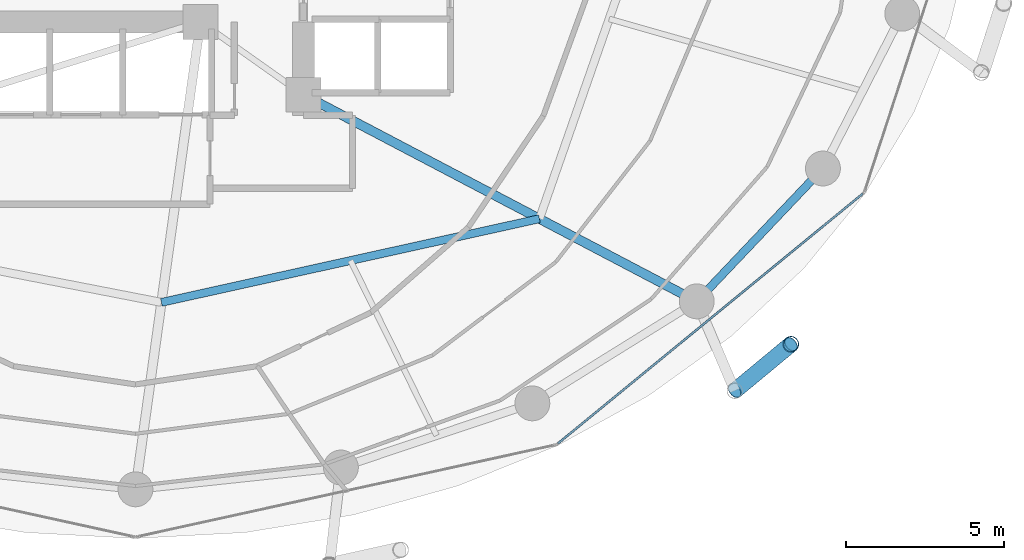
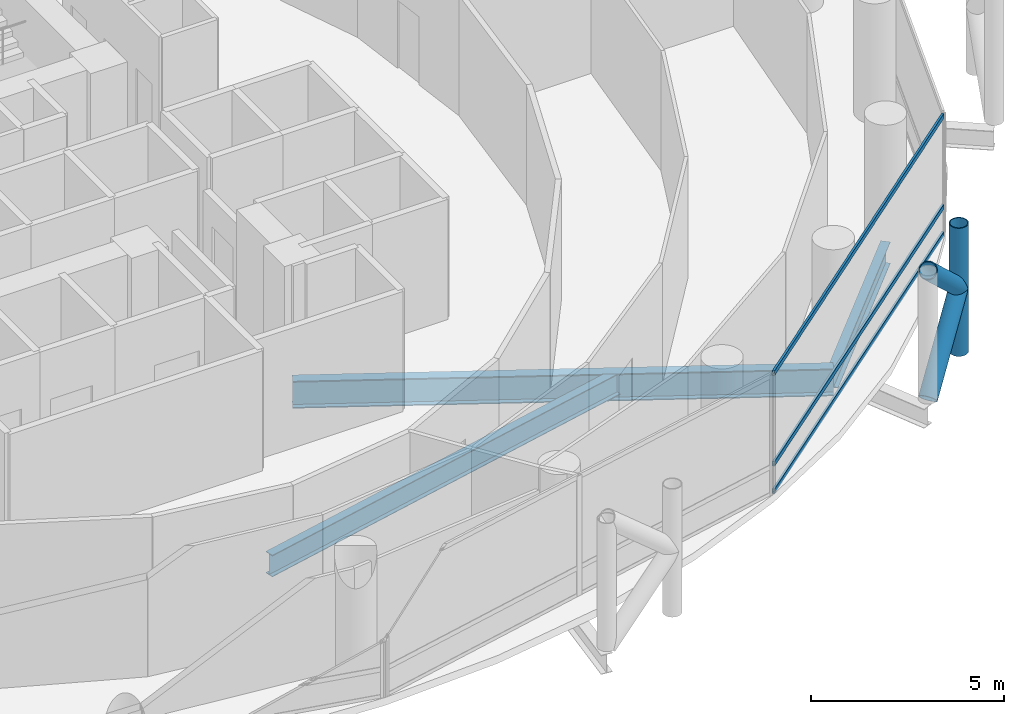
# One storey, part 9 of 26: 6 members, 3 beams, 1 element without a shape of its own.
"""IFC4 building model written with IfcOpenShell, lengths in metres."""

from ifc_helpers import new_model, si_unit, direction, frame, origin, origin_2d, place, context, subcontext, project, spatial, hollow_rectangle, hollow_circle, i_section, extrude, material, layer, layer_set, material_profile, profile_set, type_object, element, aggregate, save


model = new_model("IFC4")

# Units and contexts
model_context = context("Model", 3, precision=1e-05, world=origin(), true_north=direction((0.0, 1.0)))
body_context = subcontext(model_context, "Body", "Model", "MODEL_VIEW")
ifc_project = project(units=[si_unit("LENGTHUNIT", "METRE"), si_unit("AREAUNIT", "SQUARE_METRE"), si_unit("VOLUMEUNIT", "CUBIC_METRE"), si_unit("PLANEANGLEUNIT", "RADIAN"), si_unit("MASSUNIT", "GRAM", prefix="KILO")], contexts=[model_context])

# Site, building, storey
site_placement = place(None, origin())
site = spatial("IfcSite", under=ifc_project, at=site_placement, CompositionType="ELEMENT")
building_placement = place(site_placement, origin())
building = spatial("IfcBuilding", under=site, at=building_placement, Name="Nuhasar Tower", CompositionType="ELEMENT")
storey_placement = place(building_placement, frame((0.0, 0.0, 93.89990234375)))
storey = spatial("IfcBuildingStorey", under=building, at=storey_placement, Name="L22", CompositionType="ELEMENT", Elevation=93.89990234375)

# Beams
ifc_material_1 = material(Name="Steel S355", Category="steel")
ifc_material_profile_1 = material_profile(ifc_material_1, i_section(OverallWidth=0.25390625, OverallDepth=0.68408203125, WebThickness=0.012451171875, FlangeThickness=0.018798828125, at=origin_2d()), Name="W27X94")
ifc_profile_set_1 = profile_set([ifc_material_profile_1], Name="Steel S355")
beam_type_1 = type_object("IfcBeamType", Name="BM-INRING-W27X94", PredefinedType="BEAM", material=ifc_profile_set_1)
beam_1_placement = place(storey_placement, frame((39.820068359375, 12.449951171875, -0.591796875), z_axis=(0.976386023343, 0.216033176665, 0.0), x_axis=(-0.216033176665, 0.976386023343, 0.0)))
element("IfcBeam", 1, at=beam_1_placement, inside=storey, type_object=beam_type_1, Name="L22 Inner Header Beam 02", PredefinedType="BEAM", context=body_context, shape_type="SweptSolid", body=[
    extrude(i_section(OverallWidth=0.25390625, OverallDepth=0.68408203125, WebThickness=0.012451171875, FlangeThickness=0.018798828125, at=origin_2d()), origin(), (0.0, 0.0, 1.0), 12.216552734375),
])
ifc_material_profile_2 = material_profile(ifc_material_1, i_section(OverallWidth=0.2919921875, OverallDepth=0.85888671875, WebThickness=0.01708984375, FlangeThickness=0.031005859375, at=origin_2d()), Name="W33X169")
ifc_profile_set_2 = profile_set([ifc_material_profile_2], Name="Steel S355")
beam_type_2 = type_object("IfcBeamType", Name="BM-POD-W33X169", PredefinedType="BEAM", material=ifc_profile_set_2)
beam_2_placement = place(storey_placement, frame((44.300048828125, 19.0, -0.678955078125), z_axis=(0.885330348705, -0.464962550816, 0.0), x_axis=(0.464962550816, 0.885330348705, 0.0)))
element("IfcBeam", 2, at=beam_2_placement, inside=storey, type_object=beam_type_2, Name="L22 Radial Floor Girder 03", PredefinedType="BEAM", context=body_context, shape_type="SweptSolid", body=[
    extrude(i_section(OverallWidth=0.2919921875, OverallDepth=0.85888671875, WebThickness=0.01708984375, FlangeThickness=0.031005859375, at=origin_2d()), origin(), (0.0, 0.0, 1.0), 14.0205078125),
])
ifc_material_profile_3 = material_profile(ifc_material_1, i_section(OverallWidth=0.256103515625, OverallDepth=0.693115234375, WebThickness=0.014404296875, FlangeThickness=0.023681640625, at=origin_2d()), Name="W27X114")
ifc_profile_set_3 = profile_set([ifc_material_profile_3], Name="Steel S355")
beam_type_3 = type_object("IfcBeamType", Name="BM-RING-W27X114", PredefinedType="SPANDREL", material=ifc_profile_set_3)
beam_3_placement = place(storey_placement, frame((56.712890625, 12.48095703125, -0.596923828125), z_axis=(0.688459812429, 0.725274490569, 0.0), x_axis=(-0.725274490569, 0.688459812429, 0.0)))
element("IfcBeam", 3, at=beam_3_placement, inside=storey, type_object=beam_type_3, Name="L22 Perimeter Ring Spandrel 22", PredefinedType="SPANDREL", context=body_context, shape_type="SweptSolid", body=[
    extrude(i_section(OverallWidth=0.256103515625, OverallDepth=0.693115234375, WebThickness=0.014404296875, FlangeThickness=0.023681640625, at=origin_2d()), origin(), (0.0, 0.0, 1.0), 5.78271484375),
])

# Curtain wall, members
ifc_material_2 = material(Name="Aluminium 6063-T6", Category="aluminium")
ifc_layer = layer(ifc_material_2, 0.199951171875)
ifc_layer_set = layer_set([ifc_layer], Name="Aluminium 6063-T6")
curtain_wall_type = type_object("IfcCurtainWallType", Name="CW-Z1-OFF", PredefinedType="NOTDEFINED", material=ifc_layer_set)
curtain_wall_placement = place(storey_placement, origin())
curtain_wall = element("IfcCurtainWall", 4, at=curtain_wall_placement, inside=storey, type_object=curtain_wall_type, Name="L22 Unitised Curtain Wall 11", PredefinedType="NOTDEFINED")
ifc_material_profile_4 = material_profile(ifc_material_2, hollow_rectangle(XDim=0.06494140625, YDim=0.14990234375, WallThickness=0.00439453125, at=origin_2d()), Name="CWT-2")
ifc_profile_set_4 = profile_set([ifc_material_profile_4], Name="Aluminium 6063-T6")
member_type_1 = type_object("IfcMemberType", Name="CW-TRN-S2", PredefinedType="USERDEFINED", material=ifc_profile_set_4)
member_1_placement = place(storey_placement, frame((52.330322265625, 7.99609375, 0.03271484375), z_axis=(0.773531229158, 0.633758185365, 0.0), x_axis=(-0.633758185365, 0.773531229158, 0.0)))
member_1 = element("IfcMember", 5, at=member_1_placement, type_object=member_type_1, Name="CW-Z1 transom 1.1", ObjectType="TRANSOM", PredefinedType="USERDEFINED", context=body_context, shape_type="SweptSolid", body=[
    extrude(hollow_rectangle(XDim=0.06494140625, YDim=0.14990234375, WallThickness=0.00439453125, at=origin_2d()), origin(), (0.0, 0.0, 1.0), 12.438232421875),
])
member_2_placement = place(storey_placement, frame((52.330322265625, 7.99609375, 0.900146484375), z_axis=(0.773531229158, 0.633758185365, 0.0), x_axis=(-0.633758185365, 0.773531229158, 0.0)))
member_2 = element("IfcMember", 6, at=member_2_placement, type_object=member_type_1, Name="CW-Z1 transom 1.2", ObjectType="TRANSOM", PredefinedType="USERDEFINED", context=body_context, shape_type="SweptSolid", body=[
    extrude(hollow_rectangle(XDim=0.06494140625, YDim=0.14990234375, WallThickness=0.00439453125, at=origin_2d()), origin(), (0.0, 0.0, 1.0), 12.438232421875),
])
member_3_placement = place(storey_placement, frame((52.330322265625, 7.99609375, 3.767578125), z_axis=(0.773531229158, 0.633758185365, 0.0), x_axis=(-0.633758185365, 0.773531229158, 0.0)))
member_3 = element("IfcMember", 7, at=member_3_placement, type_object=member_type_1, Name="CW-Z1 transom 1.3", ObjectType="TRANSOM", PredefinedType="USERDEFINED", context=body_context, shape_type="SweptSolid", body=[
    extrude(hollow_rectangle(XDim=0.06494140625, YDim=0.14990234375, WallThickness=0.00439453125, at=origin_2d()), origin(), (0.0, 0.0, 1.0), 12.438232421875),
])
aggregate(curtain_wall, [member_1, member_2, member_3])

# Members
ifc_material_3 = material(Name="Steel S460", Category="steel")
ifc_material_profile_5 = material_profile(ifc_material_3, hollow_circle(Radius=0.25390625, WallThickness=0.025390625, at=origin_2d()), Name="HSS508X25.4")
ifc_profile_set_5 = profile_set([ifc_material_profile_5], Name="Steel S460")
member_type_2 = type_object("IfcMemberType", Name="EXO-BRONZE-508", PredefinedType="BRACE", material=ifc_profile_set_5)
member_4_placement = place(storey_placement, frame((59.68505859375, 11.12890625, 0.0), z_axis=(0.0, 0.0, 1.0), x_axis=(1.0, 0.0, 0.0)))
element("IfcMember", 8, at=member_4_placement, inside=storey, type_object=member_type_2, Name="L22 Exoskeleton Chord Column EC-11B", PredefinedType="BRACE", context=body_context, shape_type="SweptSolid", body=[
    extrude(hollow_circle(Radius=0.25390625, WallThickness=0.025390625, at=origin_2d()), origin(), (0.0, 0.0, 1.0), 4.050048828125),
])
member_5_placement = place(storey_placement, frame((57.9130859375, 9.660888671875, 0.0), z_axis=(0.578071194894, 0.478911834514, 0.660664172175), x_axis=(-0.637969333506, 0.770061769929, 0.0)))
element("IfcMember", 9, at=member_5_placement, inside=storey, type_object=member_type_2, Name="L22 Bronze Diagrid Brace W1-11", PredefinedType="BRACE", context=body_context, shape_type="SweptSolid", body=[
    extrude(hollow_circle(Radius=0.25390625, WallThickness=0.025390625, at=origin_2d()), origin(), (0.0, 0.0, 1.0), 3.0654296875),
])
member_6_placement = place(storey_placement, frame((59.68505859375, 11.12890625, 2.025146484375), z_axis=(-0.578101613167, -0.478937034992, 0.660619286251), x_axis=(0.637969333506, -0.770061769929, 0.0)))
element("IfcMember", 10, at=member_6_placement, inside=storey, type_object=member_type_2, Name="L22 Bronze Diagrid Brace W2-11", PredefinedType="BRACE", context=body_context, shape_type="SweptSolid", body=[
    extrude(hollow_circle(Radius=0.25390625, WallThickness=0.025390625, at=origin_2d()), origin(), (0.0, 0.0, 1.0), 3.065185546875),
])

save(model, "model.ifc")
